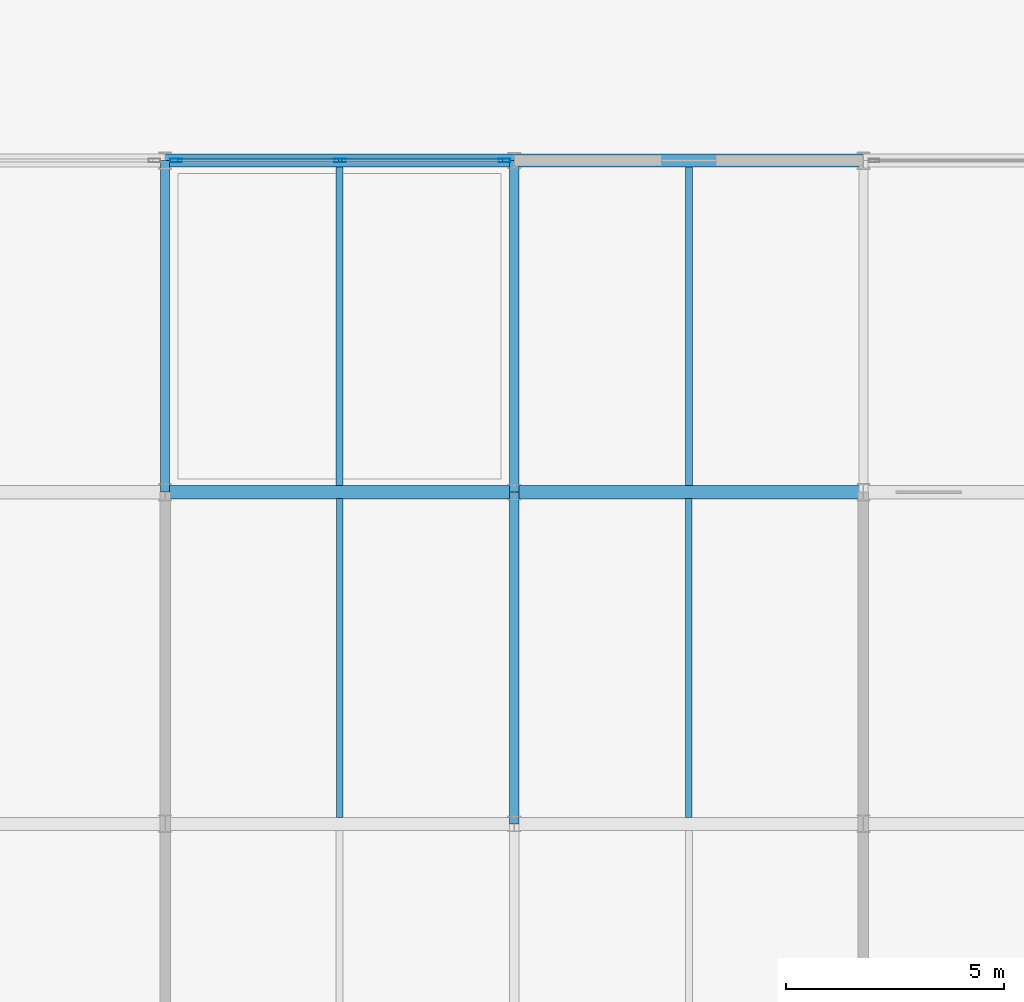
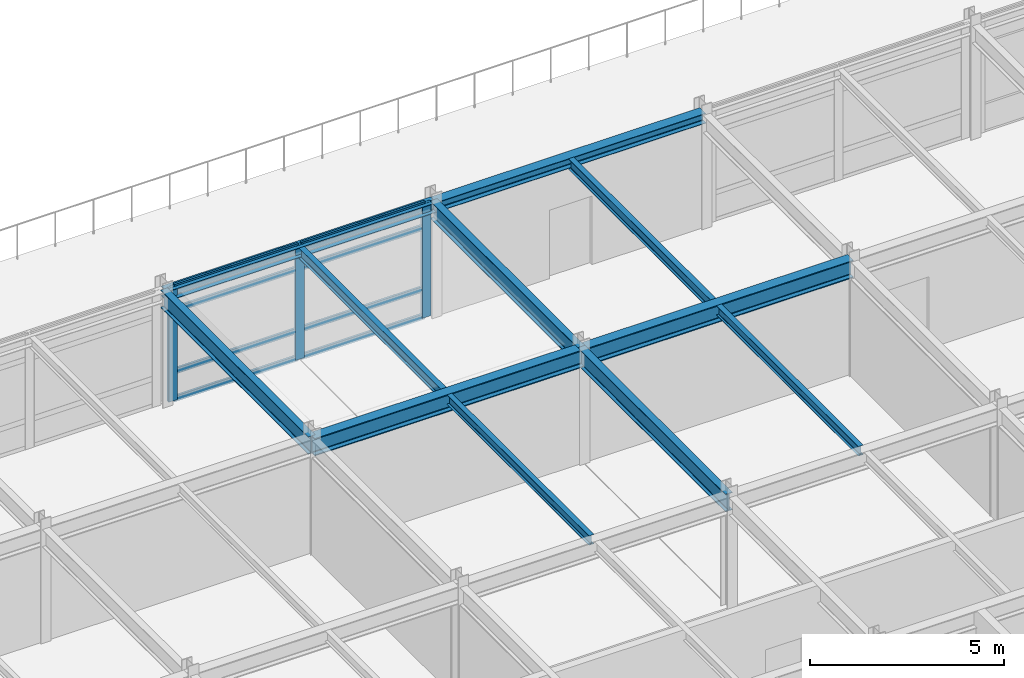
# One storey, part 5 of 12: 11 beams, 11 members, 1 element without a shape of its own.
"""IFC4 building model written with IfcOpenShell, lengths in metres."""

import ifcopenshell
import ifcopenshell.guid

model = None  # the IFC model being written
_history = None  # IfcOwnerHistory: only IFC2X3 demands one
_inside = {}  # id of a spatial element -> (the spatial element, [elements in it])
_under = {}  # id of a project, library or spatial element -> (it, [spatial elements below it])
_declared = {}  # id of a project -> (the project, [libraries it declares])
_typed = {}  # id of a type object -> (the type object, [elements of that type])
_made_of = {}  # id of a material, layer set ... -> (it, [elements and type objects made of it])


def new_model(schema):
    """Start an empty IFC model of exactly this schema.

    Asked for "IFC4X3", IfcOpenShell would pick the latest addendum, in which some entities
    have other attributes; the version numbers below select the first issue.
    IFC2X3 requires an IfcOwnerHistory on every rooted entity: one is made here for all.
    """
    global model, _history
    if schema == "IFC4X3":
        model = ifcopenshell.file(schema_version=(4, 3, 0, 0))
    else:
        model = ifcopenshell.file(schema=schema)
    _inside.clear()
    _under.clear()
    _declared.clear()
    _typed.clear()
    _made_of.clear()
    _history = None
    if model.schema == "IFC2X3":
        org = make("IfcOrganization", Name="unknown")
        user = make(
            "IfcPersonAndOrganization",
            ThePerson=make("IfcPerson", FamilyName="unknown"),
            TheOrganization=org,
        )
        app = make(
            "IfcApplication",
            ApplicationDeveloper=org,
            Version="unknown",
            ApplicationFullName="unknown",
            ApplicationIdentifier="unknown",
        )
        _history = make(
            "IfcOwnerHistory",
            OwningUser=user,
            OwningApplication=app,
            ChangeAction="ADDED",
            CreationDate=0,
        )
    return model


def make(cls, **values):
    """One entity of the class cls with the attributes given. An attribute that is None is left unset."""
    return model.create_entity(
        cls, **{name: value for name, value in values.items() if value is not None}
    )


def rooted(cls, **values):
    """An entity with a GlobalId (a new one), such as an element, a storey or a relation."""
    return make(cls, GlobalId=ifcopenshell.guid.new(), OwnerHistory=_history, **values)


def si_unit(unit_type, name, prefix=None):
    """IfcSIUnit, for example si_unit("LENGTHUNIT", "METRE", prefix="MILLI")."""
    return make("IfcSIUnit", UnitType=unit_type, Prefix=prefix, Name=name)


def assignment(units):
    """IfcUnitAssignment: the units of a project."""
    return None if units is None else make("IfcUnitAssignment", Units=units)


def point(xyz):
    """IfcCartesianPoint."""
    return None if xyz is None else make("IfcCartesianPoint", Coordinates=xyz)


def direction(xyz):
    """IfcDirection."""
    return None if xyz is None else make("IfcDirection", DirectionRatios=xyz)


def frame(location, z_axis=None, x_axis=None):
    """IfcAxis2Placement3D, a coordinate frame: its origin and axes. An axis left out is left unset."""
    return make(
        "IfcAxis2Placement3D",
        Location=point(location),
        Axis=direction(z_axis),
        RefDirection=direction(x_axis),
    )


def frame_2d(location, x_axis=None):
    """IfcAxis2Placement2D, a coordinate frame in the plane: its origin and x axis."""
    return make(
        "IfcAxis2Placement2D", Location=point(location), RefDirection=direction(x_axis)
    )


def origin():
    """The frame at (0, 0, 0) with its axes left unset."""
    return frame((0.0, 0.0, 0.0))


def origin_2d():
    """The frame at (0, 0) in the plane with its x axis left unset."""
    return frame_2d((0.0, 0.0))


def place(relative_to, where):
    """IfcLocalPlacement: puts the frame where relative to a parent placement (None: the world)."""
    return make(
        "IfcLocalPlacement", PlacementRelTo=relative_to, RelativePlacement=where
    )


def context(
    kind, dimensions, precision=None, world=None, true_north=None, identifier=None
):
    """IfcGeometricRepresentationContext, for example the 3D "Model" context."""
    return make(
        "IfcGeometricRepresentationContext",
        ContextIdentifier=identifier,
        ContextType=kind,
        CoordinateSpaceDimension=dimensions,
        Precision=precision,
        WorldCoordinateSystem=world,
        TrueNorth=true_north,
    )


def subcontext(parent, identifier, kind, view, scale=None):
    """IfcGeometricRepresentationSubContext, for example "Body" below "Model"."""
    return make(
        "IfcGeometricRepresentationSubContext",
        ContextIdentifier=identifier,
        ContextType=kind,
        ParentContext=parent,
        TargetScale=scale,
        TargetView=view,
    )


def project(units=None, contexts=None):
    """IfcProject with its units and contexts."""
    return rooted(
        "IfcProject",
        Name="project",
        RepresentationContexts=contexts,
        UnitsInContext=assignment(units),
    )


def spatial(cls, under=None, at=None, **own):
    """A site, building, storey or space (cls), placed at a placement, below another one or the project."""
    s = rooted(cls, ObjectPlacement=at, **own)
    if under is not None:
        _under.setdefault(under.id(), (under, []))[1].append(s)
    return s


def profile(cls, at=None, kind="AREA", **sizes):
    """A parametric profile (cls). Its sizes go by their IFC names, for example OverallWidth=200.0."""
    return make(cls, ProfileType=kind, Position=at, **sizes)


def hollow_rectangle(**sizes):
    """IfcRectangleHollowProfileDef."""
    return profile("IfcRectangleHollowProfileDef", **sizes)


def i_section(**sizes):
    """IfcIShapeProfileDef."""
    return profile("IfcIShapeProfileDef", **sizes)


def extrude(swept, where, along, depth):
    """IfcExtrudedAreaSolid: the profile swept, set in the frame where, extruded along a direction by depth."""
    return make(
        "IfcExtrudedAreaSolid",
        SweptArea=swept,
        Position=where,
        ExtrudedDirection=direction(along),
        Depth=depth,
    )


def shape(context_of_items, identifier, shape_type, items):
    """IfcShapeRepresentation: the items that make up one representation, for example the "Body"."""
    return make(
        "IfcShapeRepresentation",
        ContextOfItems=context_of_items,
        RepresentationIdentifier=identifier,
        RepresentationType=shape_type,
        Items=items,
    )


def material(Name=None, Category=None):
    """IfcMaterial."""
    return make("IfcMaterial", Name=Name, Category=Category)


def layer(
    of_material, thickness, ventilated=None, Name=None, Category=None, Priority=None
):
    """IfcMaterialLayer: one layer of a wall or slab, of a material (None: an air gap)."""
    return make(
        "IfcMaterialLayer",
        Material=of_material,
        LayerThickness=thickness,
        IsVentilated=ventilated,
        Name=Name,
        Category=Category,
        Priority=Priority,
    )


def layer_set(layers, Name=None):
    """IfcMaterialLayerSet."""
    return make("IfcMaterialLayerSet", MaterialLayers=layers, LayerSetName=Name)


def material_profile(
    of_material, cross_section, Name=None, Category=None, Priority=None
):
    """IfcMaterialProfile: a cross section and its material."""
    return make(
        "IfcMaterialProfile",
        Name=Name,
        Material=of_material,
        Profile=cross_section,
        Priority=Priority,
        Category=Category,
    )


def profile_set(profiles, Name=None, composite=None):
    """IfcMaterialProfileSet."""
    return make(
        "IfcMaterialProfileSet",
        Name=Name,
        MaterialProfiles=profiles,
        CompositeProfile=composite,
    )


def made_of(thing, what):
    """Note that an element or type object is made of a material, layer set ...; save() writes the relation."""
    if what is not None:
        _made_of.setdefault(what.id(), (what, []))[1].append(thing)
    return thing


def type_object(cls, material=None, **own):
    """A type object (cls), such as IfcWallType, which elements share."""
    return made_of(rooted(cls, **own), material)


def element(
    cls,
    number,
    at=None,
    inside=None,
    cuts=None,
    type_object=None,
    material=None,
    context=None,
    identifier="Body",
    shape_type=None,
    held_by="IfcProductDefinitionShape",
    body=None,
    shapes=None,
    **own,
):
    """One element of the class cls, such as IfcWall. Its Tag is "e" and its number.

    at: its placement. inside: the storey or other place that contains it. cuts: it is an
    opening in that element (IfcRelVoidsElement). A single representation is given by context,
    identifier, shape_type and body (its items); several are given by shapes. held_by: the class
    of the entity that holds the representations. save() writes the other relations.
    """
    e = rooted(cls, Tag="e%d" % number, ObjectPlacement=at, **own)
    if body is not None:
        shapes = [shape(context, identifier, shape_type, body)]
    if shapes is not None:
        e.Representation = make(held_by, Representations=shapes)
    if inside is not None:
        _inside.setdefault(inside.id(), (inside, []))[1].append(e)
    if cuts is not None:
        rooted(
            "IfcRelVoidsElement", RelatingBuildingElement=cuts, RelatedOpeningElement=e
        )
    if type_object is not None:
        _typed.setdefault(type_object.id(), (type_object, []))[1].append(e)
    return made_of(e, material)


def aggregate(whole, parts):
    """IfcRelAggregates: a whole, such as a stair, and the parts it consists of."""
    return rooted("IfcRelAggregates", RelatingObject=whole, RelatedObjects=parts)


def save(model, path):
    """Write the relations noted so far, then the file.

    IfcRelAggregates (storeys below a building ...), IfcRelContainedInSpatialStructure (elements
    in a storey), IfcRelDefinesByType, IfcRelAssociatesMaterial and IfcRelDeclares: one each for
    every whole, place, type object, material and project.
    """
    for whole, parts in _under.values():
        aggregate(whole, parts)
    for where, things in _inside.values():
        rooted(
            "IfcRelContainedInSpatialStructure",
            RelatedElements=things,
            RelatingStructure=where,
        )
    for kind, things in _typed.values():
        rooted("IfcRelDefinesByType", RelatedObjects=things, RelatingType=kind)
    for what, things in _made_of.values():
        rooted("IfcRelAssociatesMaterial", RelatedObjects=things, RelatingMaterial=what)
    for by, libraries in _declared.values():
        rooted("IfcRelDeclares", RelatingContext=by, RelatedDefinitions=libraries)
    model.write(path)


model = new_model("IFC4")

# Units and contexts
model_context = context("Model", 3, precision=1e-05, world=origin(), true_north=direction((0.0, 1.0)))
body_context = subcontext(model_context, "Body", "Model", "MODEL_VIEW")
ifc_project = project(units=[si_unit("LENGTHUNIT", "METRE"), si_unit("AREAUNIT", "SQUARE_METRE"), si_unit("VOLUMEUNIT", "CUBIC_METRE"), si_unit("PLANEANGLEUNIT", "RADIAN"), si_unit("MASSUNIT", "GRAM", prefix="KILO")], contexts=[model_context])

# Site, building, storey
site_placement = place(None, origin())
site = spatial("IfcSite", under=ifc_project, at=site_placement, CompositionType="ELEMENT")
building_placement = place(site_placement, origin())
building = spatial("IfcBuilding", under=site, at=building_placement, Name="Shalkamar Park Central Library", CompositionType="ELEMENT")
storey_placement = place(building_placement, frame((0.0, 0.0, 56.10009765625)))
storey = spatial("IfcBuildingStorey", under=building, at=storey_placement, Name="L14", CompositionType="ELEMENT", Elevation=56.10009765625)

# Beams
ifc_material_1 = material(Name="Steel S355", Category="steel")
ifc_material_profile_1 = material_profile(ifc_material_1, i_section(OverallWidth=0.14990234375, OverallDepth=0.300048828125, WebThickness=0.007080078125, FlangeThickness=0.0107421875, FilletRadius=0.014892578125, at=origin_2d()), Name="IPE 300")
ifc_profile_set_1 = profile_set([ifc_material_profile_1], Name="Steel S355")
beam_type_1 = type_object("IfcBeamType", Name="Composite Floor Joist IPE300", PredefinedType="JOIST", material=ifc_profile_set_1)
for number, where, z_axis, x_axis, name in (
    (1, (185.0, 262.947998046875, 3.429931640625), (0.0, 1.0, 0.0), (-1.0, 0.0, 0.0), "Composite Joist 09/D-1 (L14)"),
    (2, (193.0, 262.947998046875, 3.429931640625), (0.0, 1.0, 0.0), (-1.0, 0.0, 0.0), "Composite Joist 10/D-1 (L14)"),
):
    element("IfcBeam", number, at=place(storey_placement, frame(where, z_axis=z_axis, x_axis=x_axis)), inside=storey, type_object=beam_type_1, Name=name, PredefinedType="JOIST", context=body_context, shape_type="SweptSolid", body=[
        extrude(i_section(OverallWidth=0.14990234375, OverallDepth=0.300048828125, WebThickness=0.007080078125, FlangeThickness=0.0107421875, FilletRadius=0.014892578125, at=origin_2d()), origin(), (0.0, 0.0, 1.0), 7.303955078125),
    ])
ifc_material_profile_2 = material_profile(ifc_material_1, i_section(OverallWidth=0.159912109375, OverallDepth=0.330078125, WebThickness=0.007568359375, FlangeThickness=0.011474609375, FilletRadius=0.01806640625, at=origin_2d()), Name="IPE 330")
ifc_profile_set_2 = profile_set([ifc_material_profile_2], Name="Steel S355")
beam_type_2 = type_object("IfcBeamType", Name="Composite Floor Joist IPE330", PredefinedType="JOIST", material=ifc_profile_set_2)
for number, where, z_axis, x_axis, name in (
    (3, (185.0, 270.548095703125, 3.414794921875), (0.0, 1.0, 0.0), (-1.0, 0.0, 0.0), "Composite Joist 09/E-1 (L14)"),
    (4, (193.0, 270.548095703125, 3.414794921875), (0.0, 1.0, 0.0), (-1.0, 0.0, 0.0), "Composite Joist 10/E-1 (L14)"),
):
    element("IfcBeam", number, at=place(storey_placement, frame(where, z_axis=z_axis, x_axis=x_axis)), inside=storey, type_object=beam_type_2, Name=name, PredefinedType="JOIST", context=body_context, shape_type="SweptSolid", body=[
        extrude(i_section(OverallWidth=0.159912109375, OverallDepth=0.330078125, WebThickness=0.007568359375, FlangeThickness=0.011474609375, FilletRadius=0.01806640625, at=origin_2d()), origin(), (0.0, 0.0, 1.0), 7.303955078125),
    ])

# Curtain wall, members
ifc_material_2 = material(Name="Thermally broken aluminium and triple low-e curtain wall", Category="aluminium")
ifc_layer = layer(ifc_material_2, 0.264892578125)
ifc_layer_set = layer_set([ifc_layer], Name="UnitisedCurtainWall_99")
curtain_wall_type = type_object("IfcCurtainWallType", Name="Unitised Curtain Wall 99", PredefinedType="USERDEFINED", material=ifc_layer_set)
curtain_wall_placement = place(storey_placement, origin())
curtain_wall = element("IfcCurtainWall", 5, at=curtain_wall_placement, inside=storey, type_object=curtain_wall_type, Name="Unitised Curtain Wall CW-L14-153", ObjectType="UNITISED CURTAIN WALL", PredefinedType="USERDEFINED")
ifc_material_3 = material(Name="Aluminium 6060-T66", Category="aluminium")
ifc_material_profile_3 = material_profile(ifc_material_3, hollow_rectangle(XDim=0.0849609375, YDim=0.264892578125, WallThickness=0.0048828125, InnerFilletRadius=0.0048828125, OuterFilletRadius=0.007568359375, at=origin_2d()), Name="ALU 85x265x5")
ifc_profile_set_3 = profile_set([ifc_material_profile_3], Name="Aluminium 6060-T66")
member_type_1 = type_object("IfcMemberType", Name="Curtain Wall Mullion ALU85x265", PredefinedType="MULLION", material=ifc_profile_set_3)
member_1_placement = place(storey_placement, frame((181.24658203125, 278.0, 0.0), z_axis=(0.0, 0.0, 1.0), x_axis=(0.0, 1.0, 0.0)))
member_1 = element("IfcMember", 6, at=member_1_placement, type_object=member_type_1, Name="CW-99 mullion 1", PredefinedType="MULLION", context=body_context, shape_type="SweptSolid", body=[
    extrude(hollow_rectangle(XDim=0.0849609375, YDim=0.264892578125, WallThickness=0.0048828125, InnerFilletRadius=0.0048828125, OuterFilletRadius=0.007568359375, at=origin_2d()), origin(), (0.0, 0.0, 1.0), 3.579833984375),
])
member_2_placement = place(storey_placement, frame((185.010009765625, 278.0, 0.0), z_axis=(0.0, 0.0, 1.0), x_axis=(0.0, 1.0, 0.0)))
member_2 = element("IfcMember", 7, at=member_2_placement, type_object=member_type_1, Name="CW-99 mullion 2", PredefinedType="MULLION", context=body_context, shape_type="SweptSolid", body=[
    extrude(hollow_rectangle(XDim=0.0849609375, YDim=0.264892578125, WallThickness=0.0048828125, InnerFilletRadius=0.0048828125, OuterFilletRadius=0.007568359375, at=origin_2d()), origin(), (0.0, 0.0, 1.0), 3.579833984375),
])
member_3_placement = place(storey_placement, frame((188.7734375, 278.0, 0.0), z_axis=(0.0, 0.0, 1.0), x_axis=(0.0, 1.0, 0.0)))
member_3 = element("IfcMember", 8, at=member_3_placement, type_object=member_type_1, Name="CW-99 mullion 3", PredefinedType="MULLION", context=body_context, shape_type="SweptSolid", body=[
    extrude(hollow_rectangle(XDim=0.0849609375, YDim=0.264892578125, WallThickness=0.0048828125, InnerFilletRadius=0.0048828125, OuterFilletRadius=0.007568359375, at=origin_2d()), origin(), (0.0, 0.0, 1.0), 3.579833984375),
])
ifc_material_profile_4 = material_profile(ifc_material_3, hollow_rectangle(XDim=0.070068359375, YDim=0.179931640625, WallThickness=0.00439453125, InnerFilletRadius=0.00439453125, OuterFilletRadius=0.0068359375, at=origin_2d()), Name="ALU 70x180x4.5")
ifc_profile_set_4 = profile_set([ifc_material_profile_4], Name="Aluminium 6060-T66")
member_type_2 = type_object("IfcMemberType", Name="Curtain Wall Transom ALU70x180", PredefinedType="USERDEFINED", material=ifc_profile_set_4)
member_4_placement = place(storey_placement, frame((181.2890625, 278.0, 0.034912109375), z_axis=(1.0, 0.0, 0.0), x_axis=(0.0, 1.0, 0.0)))
member_4 = element("IfcMember", 9, at=member_4_placement, type_object=member_type_2, Name="CW-99 transom 1.1", ObjectType="TRANSOM", PredefinedType="USERDEFINED", context=body_context, shape_type="SweptSolid", body=[
    extrude(hollow_rectangle(XDim=0.070068359375, YDim=0.179931640625, WallThickness=0.00439453125, InnerFilletRadius=0.00439453125, OuterFilletRadius=0.0068359375, at=origin_2d()), origin(), (0.0, 0.0, 1.0), 3.678466796875),
])
member_5_placement = place(storey_placement, frame((181.2890625, 278.0, 0.89990234375), z_axis=(1.0, 0.0, 0.0), x_axis=(0.0, 1.0, 0.0)))
member_5 = element("IfcMember", 10, at=member_5_placement, type_object=member_type_2, Name="CW-99 transom 1.2", ObjectType="TRANSOM", PredefinedType="USERDEFINED", context=body_context, shape_type="SweptSolid", body=[
    extrude(hollow_rectangle(XDim=0.070068359375, YDim=0.179931640625, WallThickness=0.00439453125, InnerFilletRadius=0.00439453125, OuterFilletRadius=0.0068359375, at=origin_2d()), origin(), (0.0, 0.0, 1.0), 3.678466796875),
])
member_6_placement = place(storey_placement, frame((181.2890625, 278.0, 2.829833984375), z_axis=(1.0, 0.0, 0.0), x_axis=(0.0, 1.0, 0.0)))
member_6 = element("IfcMember", 11, at=member_6_placement, type_object=member_type_2, Name="CW-99 transom 1.3", ObjectType="TRANSOM", PredefinedType="USERDEFINED", context=body_context, shape_type="SweptSolid", body=[
    extrude(hollow_rectangle(XDim=0.070068359375, YDim=0.179931640625, WallThickness=0.00439453125, InnerFilletRadius=0.00439453125, OuterFilletRadius=0.0068359375, at=origin_2d()), origin(), (0.0, 0.0, 1.0), 3.678466796875),
])
member_7_placement = place(storey_placement, frame((181.2890625, 278.0, 3.544921875), z_axis=(1.0, 0.0, 0.0), x_axis=(0.0, 1.0, 0.0)))
member_7 = element("IfcMember", 12, at=member_7_placement, type_object=member_type_2, Name="CW-99 transom 1.4", ObjectType="TRANSOM", PredefinedType="USERDEFINED", context=body_context, shape_type="SweptSolid", body=[
    extrude(hollow_rectangle(XDim=0.070068359375, YDim=0.179931640625, WallThickness=0.00439453125, InnerFilletRadius=0.00439453125, OuterFilletRadius=0.0068359375, at=origin_2d()), origin(), (0.0, 0.0, 1.0), 3.678466796875),
])
member_8_placement = place(storey_placement, frame((185.052490234375, 278.0, 0.034912109375), z_axis=(1.0, 0.0, 0.0), x_axis=(0.0, 1.0, 0.0)))
member_8 = element("IfcMember", 13, at=member_8_placement, type_object=member_type_2, Name="CW-99 transom 2.1", ObjectType="TRANSOM", PredefinedType="USERDEFINED", context=body_context, shape_type="SweptSolid", body=[
    extrude(hollow_rectangle(XDim=0.070068359375, YDim=0.179931640625, WallThickness=0.00439453125, InnerFilletRadius=0.00439453125, OuterFilletRadius=0.0068359375, at=origin_2d()), origin(), (0.0, 0.0, 1.0), 3.678466796875),
])
member_9_placement = place(storey_placement, frame((185.052490234375, 278.0, 0.89990234375), z_axis=(1.0, 0.0, 0.0), x_axis=(0.0, 1.0, 0.0)))
member_9 = element("IfcMember", 14, at=member_9_placement, type_object=member_type_2, Name="CW-99 transom 2.2", ObjectType="TRANSOM", PredefinedType="USERDEFINED", context=body_context, shape_type="SweptSolid", body=[
    extrude(hollow_rectangle(XDim=0.070068359375, YDim=0.179931640625, WallThickness=0.00439453125, InnerFilletRadius=0.00439453125, OuterFilletRadius=0.0068359375, at=origin_2d()), origin(), (0.0, 0.0, 1.0), 3.678466796875),
])
member_10_placement = place(storey_placement, frame((185.052490234375, 278.0, 2.829833984375), z_axis=(1.0, 0.0, 0.0), x_axis=(0.0, 1.0, 0.0)))
member_10 = element("IfcMember", 15, at=member_10_placement, type_object=member_type_2, Name="CW-99 transom 2.3", ObjectType="TRANSOM", PredefinedType="USERDEFINED", context=body_context, shape_type="SweptSolid", body=[
    extrude(hollow_rectangle(XDim=0.070068359375, YDim=0.179931640625, WallThickness=0.00439453125, InnerFilletRadius=0.00439453125, OuterFilletRadius=0.0068359375, at=origin_2d()), origin(), (0.0, 0.0, 1.0), 3.678466796875),
])
member_11_placement = place(storey_placement, frame((185.052490234375, 278.0, 3.544921875), z_axis=(1.0, 0.0, 0.0), x_axis=(0.0, 1.0, 0.0)))
member_11 = element("IfcMember", 16, at=member_11_placement, type_object=member_type_2, Name="CW-99 transom 2.4", ObjectType="TRANSOM", PredefinedType="USERDEFINED", context=body_context, shape_type="SweptSolid", body=[
    extrude(hollow_rectangle(XDim=0.070068359375, YDim=0.179931640625, WallThickness=0.00439453125, InnerFilletRadius=0.00439453125, OuterFilletRadius=0.0068359375, at=origin_2d()), origin(), (0.0, 0.0, 1.0), 3.678466796875),
])
aggregate(curtain_wall, [member_1, member_2, member_3, member_4, member_5, member_6, member_7, member_8, member_9, member_10, member_11])

# Beams
ifc_material_profile_5 = material_profile(ifc_material_1, i_section(OverallWidth=0.300048828125, OverallDepth=0.31005859375, WebThickness=0.009033203125, FlangeThickness=0.015380859375, FilletRadius=0.027099609375, at=origin_2d()), Name="HEA 320")
ifc_profile_set_5 = profile_set([ifc_material_profile_5], Name="Steel S355")
beam_type_3 = type_object("IfcBeamType", Name="Perimeter Spandrel Beam HEA320", PredefinedType="SPANDREL", material=ifc_profile_set_5)
for number, where, z_axis, x_axis, name in (
    (17, (181.0, 278.0, 3.4248046875), (1.0, 0.0, 0.0), (0.0, 1.0, 0.0), "Beam F:09-10 (L14)"),
    (18, (189.0, 278.0, 3.4248046875), (1.0, 0.0, 0.0), (0.0, 1.0, 0.0), "Beam F:10-11 (L14)"),
):
    element("IfcBeam", number, at=place(storey_placement, frame(where, z_axis=z_axis, x_axis=x_axis)), inside=storey, type_object=beam_type_3, Name=name, PredefinedType="SPANDREL", context=body_context, shape_type="SweptSolid", body=[
        extrude(i_section(OverallWidth=0.300048828125, OverallDepth=0.31005859375, WebThickness=0.009033203125, FlangeThickness=0.015380859375, FilletRadius=0.027099609375, at=origin_2d()), origin(), (0.0, 0.0, 1.0), 8.0),
    ])
ifc_material_profile_6 = material_profile(ifc_material_1, i_section(OverallWidth=0.300048828125, OverallDepth=0.550048828125, WebThickness=0.014892578125, FlangeThickness=0.029052734375, FilletRadius=0.027099609375, at=origin_2d()), Name="HEB 550")
ifc_profile_set_6 = profile_set([ifc_material_profile_6], Name="Steel S355")
beam_type_4 = type_object("IfcBeamType", Name="Primary Girder HEB550", PredefinedType="BEAM", material=ifc_profile_set_6)
for number, where, z_axis, x_axis, name in (
    (19, (181.0, 270.39990234375, 3.304931640625), (1.0, 0.0, 0.0), (0.0, 1.0, 0.0), "Beam E:09-10 (L14)"),
    (20, (189.0, 270.39990234375, 3.304931640625), (1.0, 0.0, 0.0), (0.0, 1.0, 0.0), "Beam E:10-11 (L14)"),
):
    element("IfcBeam", number, at=place(storey_placement, frame(where, z_axis=z_axis, x_axis=x_axis)), inside=storey, type_object=beam_type_4, Name=name, PredefinedType="BEAM", context=body_context, shape_type="SweptSolid", body=[
        extrude(i_section(OverallWidth=0.300048828125, OverallDepth=0.550048828125, WebThickness=0.014892578125, FlangeThickness=0.029052734375, FilletRadius=0.027099609375, at=origin_2d()), origin(), (0.0, 0.0, 1.0), 8.0),
    ])
ifc_material_profile_7 = material_profile(ifc_material_1, i_section(OverallWidth=0.2099609375, OverallDepth=0.550048828125, WebThickness=0.010986328125, FlangeThickness=0.01708984375, FilletRadius=0.02392578125, at=origin_2d()), Name="IPE 550")
ifc_profile_set_7 = profile_set([ifc_material_profile_7], Name="Steel S355")
beam_type_5 = type_object("IfcBeamType", Name="Primary Girder IPE550", PredefinedType="BEAM", material=ifc_profile_set_7)
beam_1_placement = place(storey_placement, frame((181.0, 270.39990234375, 3.304931640625), z_axis=(0.0, 1.0, 0.0), x_axis=(-1.0, 0.0, 0.0)))
element("IfcBeam", 21, at=beam_1_placement, inside=storey, type_object=beam_type_5, Name="Beam 09:E-F (L14)", PredefinedType="BEAM", context=body_context, shape_type="SweptSolid", body=[
    extrude(i_section(OverallWidth=0.2099609375, OverallDepth=0.550048828125, WebThickness=0.010986328125, FlangeThickness=0.01708984375, FilletRadius=0.02392578125, at=origin_2d()), origin(), (0.0, 0.0, 1.0), 7.60009765625),
])
beam_2_placement = place(storey_placement, frame((189.0, 262.800048828125, 3.304931640625), z_axis=(0.0, 1.0, 0.0), x_axis=(-1.0, 0.0, 0.0)))
element("IfcBeam", 22, at=beam_2_placement, inside=storey, type_object=beam_type_5, Name="Beam 10:D-E (L14)", PredefinedType="BEAM", context=body_context, shape_type="SweptSolid", body=[
    extrude(i_section(OverallWidth=0.2099609375, OverallDepth=0.550048828125, WebThickness=0.010986328125, FlangeThickness=0.01708984375, FilletRadius=0.02392578125, at=origin_2d()), origin(), (0.0, 0.0, 1.0), 7.599853515625),
])
beam_3_placement = place(storey_placement, frame((189.0, 270.39990234375, 3.304931640625), z_axis=(0.0, 1.0, 0.0), x_axis=(-1.0, 0.0, 0.0)))
element("IfcBeam", 23, at=beam_3_placement, inside=storey, type_object=beam_type_5, Name="Beam 10:E-F (L14)", PredefinedType="BEAM", context=body_context, shape_type="SweptSolid", body=[
    extrude(i_section(OverallWidth=0.2099609375, OverallDepth=0.550048828125, WebThickness=0.010986328125, FlangeThickness=0.01708984375, FilletRadius=0.02392578125, at=origin_2d()), origin(), (0.0, 0.0, 1.0), 7.60009765625),
])

save(model, "model.ifc")
